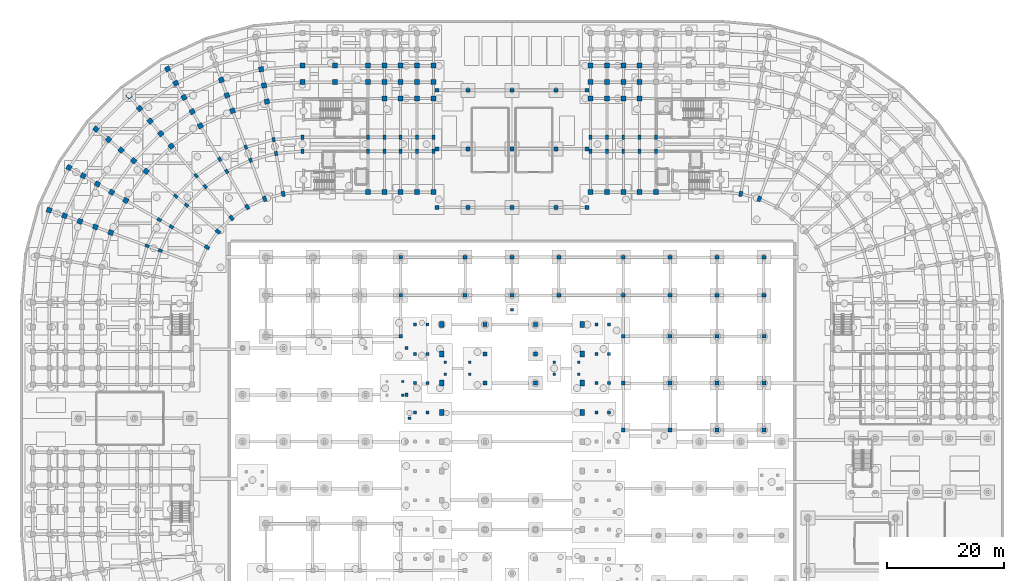
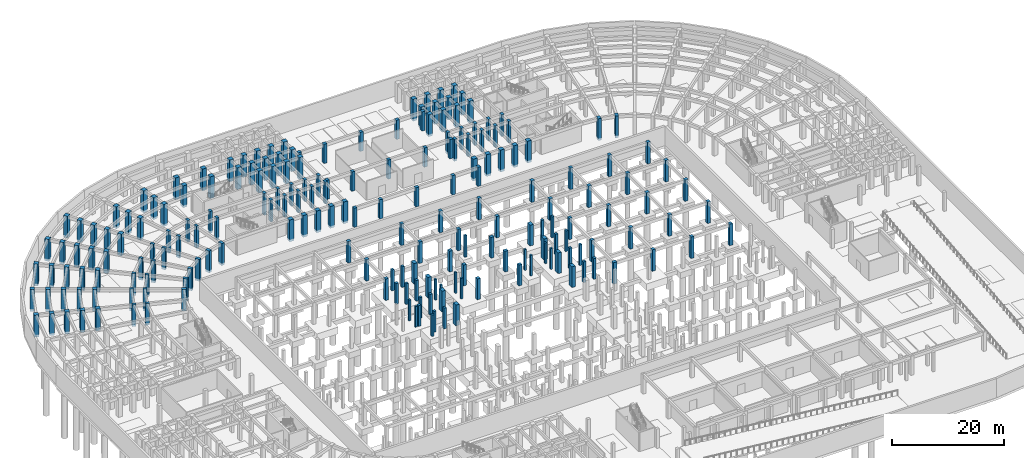
# One storey, part 15 of 53: 203 columns.
"""IFC4 building model written with IfcOpenShell, lengths in metres."""

from ifc_helpers import new_model, si_unit, direction, frame, origin, origin_2d, place, context, subcontext, project, spatial, rectangle, extrude, material, material_profile, profile_set, type_object, element, save


model = new_model("IFC4")

# Units and contexts
model_context = context("Model", 3, precision=1e-05, world=origin(), true_north=direction((0.0, 1.0)))
body_context = subcontext(model_context, "Body", "Model", "MODEL_VIEW")
ifc_project = project(units=[si_unit("LENGTHUNIT", "METRE"), si_unit("AREAUNIT", "SQUARE_METRE"), si_unit("VOLUMEUNIT", "CUBIC_METRE"), si_unit("PLANEANGLEUNIT", "RADIAN"), si_unit("MASSUNIT", "GRAM", prefix="KILO")], contexts=[model_context])

# Site, building, storey
site_placement = place(None, origin())
site = spatial("IfcSite", under=ifc_project, at=site_placement, CompositionType="ELEMENT")
building_placement = place(site_placement, origin())
building = spatial("IfcBuilding", under=site, at=building_placement, Name="Kiranvali Square Residences", CompositionType="ELEMENT")
storey_placement = place(building_placement, frame((0.0, 0.0, -4.5)))
storey = spatial("IfcBuildingStorey", under=building, at=storey_placement, Name="B1", CompositionType="ELEMENT", Elevation=-4.5)

# Columns
ifc_material_1 = material(Name="Concrete M40 (40 MPa)", Category="concrete")
ifc_material_profile_1 = material_profile(ifc_material_1, rectangle(XDim=0.39990234375, YDim=0.39990234375, at=origin_2d()), Name="RC 400x400")
ifc_profile_set_1 = profile_set([ifc_material_profile_1], Name="Concrete M40 (40 MPa)")
column_type_1 = type_object("IfcColumnType", Name="COL-M40-400", PredefinedType="COLUMN", material=ifc_profile_set_1)
for number, where, z_axis, x_axis, name in (
    (1, (72.60009765625, 75.5, -0.5), (0.0, 0.0, 1.0), (1.0, 0.0, 0.0), "ST-CH1 B1 substructure support column 1"),
    (2, (76.800048828125, 75.5, -0.5), (0.0, 0.0, 1.0), (1.0, 0.0, 0.0), "ST-CH1 B1 substructure support column 2"),
    (3, (72.60009765625, 77.550048828125, -0.5), (0.0, 0.0, 1.0), (1.0, 0.0, 0.0), "ST-CH1 B1 substructure support column 3"),
    (4, (76.800048828125, 77.550048828125, -0.5), (0.0, 0.0, 1.0), (1.0, 0.0, 0.0), "ST-CH1 B1 substructure support column 4"),
    (5, (91.199951171875, 75.5, -0.5), (0.0, 0.0, 1.0), (1.0, 0.0, 0.0), "ST-CH2 B1 substructure support column 1"),
    (6, (95.39990234375, 75.5, -0.5), (0.0, 0.0, 1.0), (1.0, 0.0, 0.0), "ST-CH2 B1 substructure support column 2"),
    (7, (91.199951171875, 77.550048828125, -0.5), (0.0, 0.0, 1.0), (1.0, 0.0, 0.0), "ST-CH2 B1 substructure support column 3"),
    (8, (95.39990234375, 77.550048828125, -0.5), (0.0, 0.0, 1.0), (1.0, 0.0, 0.0), "ST-CH2 B1 substructure support column 4"),
    (9, (65.35009765625, 71.949951171875, -0.5), (0.0, 0.0, 1.0), (1.0, 0.0, 0.0), "ST-NR2 B1 substructure support column 2"),
    (10, (65.35009765625, 74.280029296875, -0.5), (0.0, 0.0, 1.0), (1.0, 0.0, 0.0), "ST-NR2 B1 substructure support column 4"),
):
    element("IfcColumn", number, at=place(storey_placement, frame(where, z_axis=z_axis, x_axis=x_axis)), inside=storey, type_object=column_type_1, Name=name, PredefinedType="COLUMN", context=body_context, shape_type="SweptSolid", body=[
        extrude(rectangle(XDim=0.39990234375, YDim=0.39990234375, at=origin_2d()), origin(), (0.0, 0.0, 1.0), 4.550048828125),
    ])
ifc_material_profile_2 = material_profile(ifc_material_1, rectangle(XDim=0.449951171875, YDim=0.449951171875, at=origin_2d()), Name="RC 450x450")
ifc_profile_set_2 = profile_set([ifc_material_profile_2], Name="Concrete M40 (40 MPa)")
column_type_2 = type_object("IfcColumnType", Name="COL-M40-450", PredefinedType="COLUMN", material=ifc_profile_set_2)
for number, where, z_axis, x_axis, name in (
    (11, (66.5, 68.0, -0.5), (0.0, 0.0, 1.0), (1.0, 0.0, 0.0), "Courtyard ramp substructure column 2"),
    (12, (84.0, 86.5, -0.5), (0.0, 0.0, 1.0), (1.0, 0.0, 0.0), "Courtyard ramp substructure column 4"),
):
    element("IfcColumn", number, at=place(storey_placement, frame(where, z_axis=z_axis, x_axis=x_axis)), inside=storey, type_object=column_type_2, Name=name, PredefinedType="COLUMN", context=body_context, shape_type="SweptSolid", body=[
        extrude(rectangle(XDim=0.449951171875, YDim=0.449951171875, at=origin_2d()), origin(), (0.0, 0.0, 1.0), 4.699951171875),
    ])
ifc_material_profile_3 = material_profile(ifc_material_1, rectangle(XDim=0.5, YDim=0.5, at=origin_2d()), Name="RC 500x500")
ifc_profile_set_3 = profile_set([ifc_material_profile_3], Name="Concrete M40 (40 MPa)")
column_type_3 = type_object("IfcColumnType", Name="COL-M40-500", PredefinedType="COLUMN", material=ifc_profile_set_3)
for number, where, z_axis, x_axis, name in (
    (13, (67.449951171875, 69.0, -0.5), (0.0, 0.0, 1.0), (1.0, 0.0, 0.0), "Garden colonnade B1 outer support column ARC-GDN-W-6A"),
    (14, (69.550048828125, 69.0, -0.5), (0.0, 0.0, 1.0), (1.0, 0.0, 0.0), "Garden colonnade B1 inner support column ARC-GDN-W-6B"),
    (15, (67.449951171875, 74.0, -0.5), (0.0, 0.0, 1.0), (1.0, 0.0, 0.0), "Garden colonnade B1 outer support column ARC-GDN-W-7A"),
    (16, (69.550048828125, 74.0, -0.5), (0.0, 0.0, 1.0), (1.0, 0.0, 0.0), "Garden colonnade B1 inner support column ARC-GDN-W-7B"),
    (17, (67.449951171875, 79.0, -0.5), (0.0, 0.0, 1.0), (1.0, 0.0, 0.0), "Garden colonnade B1 outer support column ARC-GDN-W-8A"),
    (18, (69.550048828125, 79.0, -0.5), (0.0, 0.0, 1.0), (1.0, 0.0, 0.0), "Garden colonnade B1 inner support column ARC-GDN-W-8B"),
    (19, (67.449951171875, 84.0, -0.5), (0.0, 0.0, 1.0), (1.0, 0.0, 0.0), "Garden colonnade B1 outer support column ARC-GDN-W-9A"),
    (20, (69.550048828125, 84.0, -0.5), (0.0, 0.0, 1.0), (1.0, 0.0, 0.0), "Garden colonnade B1 inner support column ARC-GDN-W-9B"),
    (21, (98.449951171875, 69.0, -0.5), (0.0, 0.0, 1.0), (1.0, 0.0, 0.0), "Garden colonnade B1 outer support column ARC-GDN-E-6A"),
    (22, (100.550048828125, 69.0, -0.5), (0.0, 0.0, 1.0), (1.0, 0.0, 0.0), "Garden colonnade B1 inner support column ARC-GDN-E-6B"),
    (23, (98.449951171875, 74.0, -0.5), (0.0, 0.0, 1.0), (1.0, 0.0, 0.0), "Garden colonnade B1 outer support column ARC-GDN-E-7A"),
    (24, (100.550048828125, 74.0, -0.5), (0.0, 0.0, 1.0), (1.0, 0.0, 0.0), "Garden colonnade B1 inner support column ARC-GDN-E-7B"),
    (25, (98.449951171875, 79.0, -0.5), (0.0, 0.0, 1.0), (1.0, 0.0, 0.0), "Garden colonnade B1 outer support column ARC-GDN-E-8A"),
    (26, (100.550048828125, 79.0, -0.5), (0.0, 0.0, 1.0), (1.0, 0.0, 0.0), "Garden colonnade B1 inner support column ARC-GDN-E-8B"),
    (27, (98.449951171875, 84.0, -0.5), (0.0, 0.0, 1.0), (1.0, 0.0, 0.0), "Garden colonnade B1 outer support column ARC-GDN-E-9A"),
    (28, (100.550048828125, 84.0, -0.5), (0.0, 0.0, 1.0), (1.0, 0.0, 0.0), "Garden colonnade B1 inner support column ARC-GDN-E-9B"),
):
    element("IfcColumn", number, at=place(storey_placement, frame(where, z_axis=z_axis, x_axis=x_axis)), inside=storey, type_object=column_type_3, Name=name, PredefinedType="COLUMN", context=body_context, shape_type="SweptSolid", body=[
        extrude(rectangle(XDim=0.5, YDim=0.5, at=origin_2d()), origin(), (0.0, 0.0, 1.0), 4.550048828125),
    ])
ifc_material_profile_4 = material_profile(ifc_material_1, rectangle(XDim=0.550048828125, YDim=0.550048828125, at=origin_2d()), Name="RC 550x550")
ifc_profile_set_4 = profile_set([ifc_material_profile_4], Name="Concrete M40 (40 MPa)")
column_type_4 = type_object("IfcColumnType", Name="COL-M40-550", PredefinedType="COLUMN", material=ifc_profile_set_4)
for number, where, z_axis, x_axis, name in (
    (29, (66.0, 72.0, -0.5), (0.0, 0.0, 1.0), (1.0, 0.0, 0.0), "Nursery Pavilion B1 substructure column 4-2"),
    (30, (66.0, 80.0, -0.5), (0.0, 0.0, 1.0), (1.0, 0.0, 0.0), "Nursery Pavilion B1 substructure column 4-3"),
):
    element("IfcColumn", number, at=place(storey_placement, frame(where, z_axis=z_axis, x_axis=x_axis)), inside=storey, type_object=column_type_4, Name=name, PredefinedType="COLUMN", context=body_context, shape_type="SweptSolid", body=[
        extrude(rectangle(XDim=0.550048828125, YDim=0.550048828125, at=origin_2d()), origin(), (0.0, 0.0, 1.0), 4.550048828125),
    ])
ifc_material_2 = material(Name="Concrete M45 (45 MPa)", Category="concrete")
ifc_material_profile_5 = material_profile(ifc_material_2, rectangle(XDim=0.699951171875, YDim=1.0, at=origin_2d()), Name="RC 1000x700")
ifc_profile_set_5 = profile_set([ifc_material_profile_5], Name="Concrete M45 (45 MPa)")
column_type_5 = type_object("IfcColumnType", Name="COL-M45-1000x700", PredefinedType="COLUMN", material=ifc_profile_set_5)
for number, where, z_axis, x_axis, name in (
    (31, (72.0, 69.0, -0.5), (0.0, 0.0, 1.0), (1.0, 0.0, 0.0), "Community Hall substructure pier W6 B1"),
    (32, (96.0, 69.0, -0.5), (0.0, 0.0, 1.0), (1.0, 0.0, 0.0), "Community Hall substructure pier E6 B1"),
    (33, (72.0, 74.0, -0.5), (0.0, 0.0, 1.0), (1.0, 0.0, 0.0), "Community Hall substructure pier W7 B1"),
    (34, (96.0, 74.0, -0.5), (0.0, 0.0, 1.0), (1.0, 0.0, 0.0), "Community Hall substructure pier E7 B1"),
    (35, (72.0, 79.0, -0.5), (0.0, 0.0, 1.0), (1.0, 0.0, 0.0), "Community Hall substructure pier W8 B1"),
    (36, (96.0, 79.0, -0.5), (0.0, 0.0, 1.0), (1.0, 0.0, 0.0), "Community Hall substructure pier E8 B1"),
    (37, (72.0, 84.0, -0.5), (0.0, 0.0, 1.0), (1.0, 0.0, 0.0), "Community Hall substructure pier W9 B1"),
    (38, (96.0, 84.0, -0.5), (0.0, 0.0, 1.0), (1.0, 0.0, 0.0), "Community Hall substructure pier E9 B1"),
):
    element("IfcColumn", number, at=place(storey_placement, frame(where, z_axis=z_axis, x_axis=x_axis)), inside=storey, type_object=column_type_5, Name=name, PredefinedType="COLUMN", context=body_context, shape_type="SweptSolid", body=[
        extrude(rectangle(XDim=0.699951171875, YDim=1.0, at=origin_2d()), origin(), (0.0, 0.0, 1.0), 4.550048828125),
    ])
ifc_material_profile_6 = material_profile(ifc_material_2, rectangle(XDim=0.64990234375, YDim=0.64990234375, at=origin_2d()), Name="RC 650x650")
ifc_profile_set_6 = profile_set([ifc_material_profile_6], Name="Concrete M45 (45 MPa)")
column_type_6 = type_object("IfcColumnType", Name="COL-M45-650", PredefinedType="COLUMN", material=ifc_profile_set_6)
for number, where, z_axis, x_axis, name in (
    (39, (71.199951171875, 104.0, 0.0), (0.0, 0.0, 1.0), (1.0, 0.0, 0.0), "Basement square substructure column APR-01"),
    (40, (76.5, 104.0, 0.0), (0.0, 0.0, 1.0), (1.0, 0.0, 0.0), "Basement square substructure column APR-02"),
    (41, (84.0, 104.0, 0.0), (0.0, 0.0, 1.0), (1.0, 0.0, 0.0), "Basement square substructure column APR-03"),
    (42, (91.5, 104.0, 0.0), (0.0, 0.0, 1.0), (1.0, 0.0, 0.0), "Basement square substructure column APR-04"),
    (43, (96.800048828125, 104.0, 0.0), (0.0, 0.0, 1.0), (1.0, 0.0, 0.0), "Basement square substructure column APR-05"),
    (44, (71.199951171875, 114.0, 0.0), (0.0, 0.0, 1.0), (1.0, 0.0, 0.0), "Basement square substructure column APR-06"),
    (45, (76.5, 114.0, 0.0), (0.0, 0.0, 1.0), (1.0, 0.0, 0.0), "Basement square substructure column APR-07"),
    (46, (84.0, 114.0, 0.0), (0.0, 0.0, 1.0), (1.0, 0.0, 0.0), "Basement square substructure column APR-08"),
    (47, (91.5, 114.0, 0.0), (0.0, 0.0, 1.0), (1.0, 0.0, 0.0), "Basement square substructure column APR-09"),
    (48, (96.800048828125, 114.0, 0.0), (0.0, 0.0, 1.0), (1.0, 0.0, 0.0), "Basement square substructure column APR-10"),
    (49, (71.199951171875, 124.0, 0.0), (0.0, 0.0, 1.0), (1.0, 0.0, 0.0), "Basement square substructure column APR-11"),
    (50, (76.5, 124.0, 0.0), (0.0, 0.0, 1.0), (1.0, 0.0, 0.0), "Basement square substructure column APR-12"),
    (51, (84.0, 124.0, 0.0), (0.0, 0.0, 1.0), (1.0, 0.0, 0.0), "Basement square substructure column APR-13"),
    (52, (91.5, 124.0, 0.0), (0.0, 0.0, 1.0), (1.0, 0.0, 0.0), "Basement square substructure column APR-14"),
    (53, (96.800048828125, 124.0, 0.0), (0.0, 0.0, 1.0), (1.0, 0.0, 0.0), "Basement square substructure column APR-15"),
):
    element("IfcColumn", number, at=place(storey_placement, frame(where, z_axis=z_axis, x_axis=x_axis)), inside=storey, type_object=column_type_6, Name=name, PredefinedType="COLUMN", context=body_context, shape_type="SweptSolid", body=[
        extrude(rectangle(XDim=0.64990234375, YDim=0.64990234375, at=origin_2d()), origin(), (0.0, 0.0, 1.0), 4.199951171875),
    ])
for number, where, z_axis, x_axis, name in (
    (54, (65.0, 82.0, -0.5), (0.0, 0.0, 1.0), (1.0, 0.0, 0.0), "Central garden deck substructure column GDN-18"),
    (55, (65.0, 89.0, -0.5), (0.0, 0.0, 1.0), (1.0, 0.0, 0.0), "Central garden deck substructure column GDN-19"),
    (56, (65.0, 95.5, -0.5), (0.0, 0.0, 1.0), (1.0, 0.0, 0.0), "Central garden deck substructure column GDN-20"),
    (57, (76.0, 89.0, -0.5), (0.0, 0.0, 1.0), (1.0, 0.0, 0.0), "Central garden deck substructure column GDN-22"),
    (58, (76.0, 95.5, -0.5), (0.0, 0.0, 1.0), (1.0, 0.0, 0.0), "Central garden deck substructure column GDN-23"),
    (59, (84.0, 89.0, -0.5), (0.0, 0.0, 1.0), (1.0, 0.0, 0.0), "Central garden deck substructure column GDN-24"),
    (60, (84.0, 95.5, -0.5), (0.0, 0.0, 1.0), (1.0, 0.0, 0.0), "Central garden deck substructure column GDN-25"),
    (61, (92.0, 89.0, -0.5), (0.0, 0.0, 1.0), (1.0, 0.0, 0.0), "Central garden deck substructure column GDN-27"),
    (62, (92.0, 95.5, -0.5), (0.0, 0.0, 1.0), (1.0, 0.0, 0.0), "Central garden deck substructure column GDN-28"),
    (63, (103.0, 66.0, -0.5), (0.0, 0.0, 1.0), (1.0, 0.0, 0.0), "Central garden deck substructure column GDN-29"),
    (64, (103.0, 74.0, -0.5), (0.0, 0.0, 1.0), (1.0, 0.0, 0.0), "Central garden deck substructure column GDN-30"),
    (65, (103.0, 82.0, -0.5), (0.0, 0.0, 1.0), (1.0, 0.0, 0.0), "Central garden deck substructure column GDN-31"),
    (66, (103.0, 89.0, -0.5), (0.0, 0.0, 1.0), (1.0, 0.0, 0.0), "Central garden deck substructure column GDN-32"),
    (67, (103.0, 95.5, -0.5), (0.0, 0.0, 1.0), (1.0, 0.0, 0.0), "Central garden deck substructure column GDN-33"),
    (68, (111.0, 66.0, -0.5), (0.0, 0.0, 1.0), (1.0, 0.0, 0.0), "Central garden deck substructure column GDN-34"),
    (69, (111.0, 74.0, -0.5), (0.0, 0.0, 1.0), (1.0, 0.0, 0.0), "Central garden deck substructure column GDN-35"),
    (70, (111.0, 82.0, -0.5), (0.0, 0.0, 1.0), (1.0, 0.0, 0.0), "Central garden deck substructure column GDN-36"),
    (71, (111.0, 89.0, -0.5), (0.0, 0.0, 1.0), (1.0, 0.0, 0.0), "Central garden deck substructure column GDN-37"),
    (72, (111.0, 95.5, -0.5), (0.0, 0.0, 1.0), (1.0, 0.0, 0.0), "Central garden deck substructure column GDN-38"),
    (73, (119.0, 66.0, -0.5), (0.0, 0.0, 1.0), (1.0, 0.0, 0.0), "Central garden deck substructure column GDN-39"),
    (74, (119.0, 74.0, -0.5), (0.0, 0.0, 1.0), (1.0, 0.0, 0.0), "Central garden deck substructure column GDN-40"),
    (75, (119.0, 82.0, -0.5), (0.0, 0.0, 1.0), (1.0, 0.0, 0.0), "Central garden deck substructure column GDN-41"),
    (76, (119.0, 89.0, -0.5), (0.0, 0.0, 1.0), (1.0, 0.0, 0.0), "Central garden deck substructure column GDN-42"),
    (77, (119.0, 95.5, -0.5), (0.0, 0.0, 1.0), (1.0, 0.0, 0.0), "Central garden deck substructure column GDN-43"),
    (78, (127.0, 66.0, -0.5), (0.0, 0.0, 1.0), (1.0, 0.0, 0.0), "Central garden deck substructure column GDN-44"),
    (79, (127.0, 74.0, -0.5), (0.0, 0.0, 1.0), (1.0, 0.0, 0.0), "Central garden deck substructure column GDN-45"),
    (80, (127.0, 82.0, -0.5), (0.0, 0.0, 1.0), (1.0, 0.0, 0.0), "Central garden deck substructure column GDN-46"),
    (81, (127.0, 89.0, -0.5), (0.0, 0.0, 1.0), (1.0, 0.0, 0.0), "Central garden deck substructure column GDN-47"),
    (82, (127.0, 95.5, -0.5), (0.0, 0.0, 1.0), (1.0, 0.0, 0.0), "Central garden deck substructure column GDN-48"),
):
    element("IfcColumn", number, at=place(storey_placement, frame(where, z_axis=z_axis, x_axis=x_axis)), inside=storey, type_object=column_type_6, Name=name, PredefinedType="COLUMN", context=body_context, shape_type="SweptSolid", body=[
        extrude(rectangle(XDim=0.64990234375, YDim=0.64990234375, at=origin_2d()), origin(), (0.0, 0.0, 1.0), 4.699951171875),
    ])
for number, where, z_axis, x_axis, name in (
    (83, (79.39990234375, 74.0, -0.5), (0.0, 0.0, 1.0), (1.0, 0.0, 0.0), "Community Hall gallery substructure column 79.4-74.0"),
    (84, (88.0, 74.0, -0.5), (0.0, 0.0, 1.0), (1.0, 0.0, 0.0), "Community Hall gallery substructure column 88.0-74.0"),
    (85, (79.39990234375, 79.0, -0.5), (0.0, 0.0, 1.0), (1.0, 0.0, 0.0), "Community Hall gallery substructure column 79.4-79.0"),
    (86, (88.0, 79.0, -0.5), (0.0, 0.0, 1.0), (1.0, 0.0, 0.0), "Community Hall gallery substructure column 88.0-79.0"),
    (87, (79.39990234375, 84.0, -0.5), (0.0, 0.0, 1.0), (1.0, 0.0, 0.0), "Community Hall gallery substructure column 79.4-84.0"),
    (88, (88.0, 84.0, -0.5), (0.0, 0.0, 1.0), (1.0, 0.0, 0.0), "Community Hall gallery substructure column 88.0-84.0"),
):
    element("IfcColumn", number, at=place(storey_placement, frame(where, z_axis=z_axis, x_axis=x_axis)), inside=storey, type_object=column_type_6, Name=name, PredefinedType="COLUMN", context=body_context, shape_type="SweptSolid", body=[
        extrude(rectangle(XDim=0.64990234375, YDim=0.64990234375, at=origin_2d()), origin(), (0.0, 0.0, 1.0), 4.550048828125),
    ])
ifc_material_profile_7 = material_profile(ifc_material_2, rectangle(XDim=0.5, YDim=0.75, at=origin_2d()), Name="RC 750x500")
ifc_profile_set_7 = profile_set([ifc_material_profile_7], Name="Concrete M45 (45 MPa)")
column_type_7 = type_object("IfcColumnType", Name="COL-M45-750x500", PredefinedType="COLUMN", material=ifc_profile_set_7)
for number, where, z_axis, x_axis, name in (
    (89, (48.199951171875, 113.60009765625, -0.5), (0.0, 0.0, 1.0), (1.0, 0.0, 0.0), "Block A B1 radial column A00-R1"),
    (90, (48.199951171875, 116.0, -0.5), (0.0, 0.0, 1.0), (1.0, 0.0, 0.0), "Block A B1 radial column A00-R2"),
    (91, (43.719970703125, 113.2080078125, -0.5), (0.0, 0.0, 1.0), (0.984807753012, 0.173648177667, 0.0), "Block A B1 radial column A01-R1"),
    (92, (43.30322265625, 115.571533203125, -0.5), (0.0, 0.0, 1.0), (0.984807753012, 0.173648177667, 0.0), "Block A B1 radial column A01-R2"),
    (93, (39.3759765625, 112.044189453125, -0.5), (0.0, 0.0, 1.0), (0.939692620786, 0.342020143326, 0.0), "Block A B1 radial column A02-R1"),
    (94, (38.554931640625, 114.29931640625, -0.5), (0.0, 0.0, 1.0), (0.939692620786, 0.342020143326, 0.0), "Block A B1 radial column A02-R2"),
    (95, (35.300048828125, 110.1435546875, -0.5), (0.0, 0.0, 1.0), (0.866025403784, 0.5, 0.0), "Block A B1 radial column A03-R1"),
    (96, (34.10009765625, 112.221923828125, -0.5), (0.0, 0.0, 1.0), (0.866025403784, 0.5, 0.0), "Block A B1 radial column A03-R2"),
    (97, (31.615966796875, 107.56396484375, -0.5), (0.0, 0.0, 1.0), (0.766044443119, 0.642787609687, 0.0), "Block A B1 radial column A04-R1"),
    (98, (30.073486328125, 109.40234375, -0.5), (0.0, 0.0, 1.0), (0.766044443119, 0.642787609687, 0.0), "Block A B1 radial column A04-R2"),
    (99, (28.43603515625, 104.384033203125, -0.5), (0.0, 0.0, 1.0), (0.642787609687, 0.766044443119, 0.0), "Block A B1 radial column A05-R1"),
    (100, (26.59765625, 105.926513671875, -0.5), (0.0, 0.0, 1.0), (0.642787609687, 0.766044443119, 0.0), "Block A B1 radial column A05-R2"),
    (101, (25.8564453125, 100.699951171875, -0.5), (0.0, 0.0, 1.0), (0.5, 0.866025403784, 0.0), "Block A B1 radial column A06-R1"),
    (102, (23.778076171875, 101.89990234375, -0.5), (0.0, 0.0, 1.0), (0.5, 0.866025403784, 0.0), "Block A B1 radial column A06-R2"),
    (103, (23.955810546875, 96.6240234375, -0.5), (0.0, 0.0, 1.0), (0.342020143326, 0.939692620786, 0.0), "Block A B1 radial column A07-R1"),
    (104, (21.70068359375, 97.445068359375, -0.5), (0.0, 0.0, 1.0), (0.342020143326, 0.939692620786, 0.0), "Block A B1 radial column A07-R2"),
    (105, (59.39990234375, 113.60009765625, -0.5), (0.0, 0.0, 1.0), (1.0, 0.0, 0.0), "Block A B1 Arm 1 column U1-R1"),
    (106, (59.39990234375, 116.0, -0.5), (0.0, 0.0, 1.0), (1.0, 0.0, 0.0), "Block A B1 Arm 1 column U1-R2"),
    (107, (62.199951171875, 113.60009765625, -0.5), (0.0, 0.0, 1.0), (1.0, 0.0, 0.0), "Block A B1 Arm 1 column U2-R1"),
    (108, (62.199951171875, 116.0, -0.5), (0.0, 0.0, 1.0), (1.0, 0.0, 0.0), "Block A B1 Arm 1 column U2-R2"),
    (109, (65.0, 113.60009765625, -0.5), (0.0, 0.0, 1.0), (1.0, 0.0, 0.0), "Block A B1 Arm 1 column U3-R1"),
    (110, (65.0, 116.0, -0.5), (0.0, 0.0, 1.0), (1.0, 0.0, 0.0), "Block A B1 Arm 1 column U3-R2"),
    (111, (67.800048828125, 113.60009765625, -0.5), (0.0, 0.0, 1.0), (1.0, 0.0, 0.0), "Block A B1 Arm 1 column U4-R1"),
    (112, (67.800048828125, 116.0, -0.5), (0.0, 0.0, 1.0), (1.0, 0.0, 0.0), "Block A B1 Arm 1 column U4-R2"),
    (113, (70.60009765625, 113.60009765625, -0.5), (0.0, 0.0, 1.0), (1.0, 0.0, 0.0), "Block A B1 Arm 1 column U5-R1"),
    (114, (70.60009765625, 116.0, -0.5), (0.0, 0.0, 1.0), (1.0, 0.0, 0.0), "Block A B1 Arm 1 column U5-R2"),
    (115, (108.60009765625, 113.60009765625, -0.5), (0.0, 0.0, 1.0), (1.0, 0.0, 0.0), "Block B B1 Arm 1 column U1-R1"),
    (116, (108.60009765625, 116.0, -0.5), (0.0, 0.0, 1.0), (1.0, 0.0, 0.0), "Block B B1 Arm 1 column U1-R2"),
    (117, (105.800048828125, 113.60009765625, -0.5), (0.0, 0.0, 1.0), (1.0, 0.0, 0.0), "Block B B1 Arm 1 column U2-R1"),
    (118, (105.800048828125, 116.0, -0.5), (0.0, 0.0, 1.0), (1.0, 0.0, 0.0), "Block B B1 Arm 1 column U2-R2"),
    (119, (103.0, 113.60009765625, -0.5), (0.0, 0.0, 1.0), (1.0, 0.0, 0.0), "Block B B1 Arm 1 column U3-R1"),
    (120, (103.0, 116.0, -0.5), (0.0, 0.0, 1.0), (1.0, 0.0, 0.0), "Block B B1 Arm 1 column U3-R2"),
    (121, (100.199951171875, 113.60009765625, -0.5), (0.0, 0.0, 1.0), (1.0, 0.0, 0.0), "Block B B1 Arm 1 column U4-R1"),
    (122, (100.199951171875, 116.0, -0.5), (0.0, 0.0, 1.0), (1.0, 0.0, 0.0), "Block B B1 Arm 1 column U4-R2"),
    (123, (97.39990234375, 113.60009765625, -0.5), (0.0, 0.0, 1.0), (1.0, 0.0, 0.0), "Block B B1 Arm 1 column U5-R1"),
    (124, (97.39990234375, 116.0, -0.5), (0.0, 0.0, 1.0), (1.0, 0.0, 0.0), "Block B B1 Arm 1 column U5-R2"),
):
    element("IfcColumn", number, at=place(storey_placement, frame(where, z_axis=z_axis, x_axis=x_axis)), inside=storey, type_object=column_type_7, Name=name, PredefinedType="COLUMN", context=body_context, shape_type="SweptSolid", body=[
        extrude(rectangle(XDim=0.5, YDim=0.75, at=origin_2d()), origin(), (0.0, 0.0, 1.0), 4.780029296875),
    ])
ifc_material_3 = material(Name="Concrete M50 (50 MPa)", Category="concrete")
ifc_material_profile_8 = material_profile(ifc_material_3, rectangle(XDim=0.85009765625, YDim=0.85009765625, at=origin_2d()), Name="RC 850x850")
ifc_profile_set_8 = profile_set([ifc_material_profile_8], Name="Concrete M50 (50 MPa)")
column_type_8 = type_object("IfcColumnType", Name="COL-M50-850", PredefinedType="COLUMN", material=ifc_profile_set_8)
for number, where, z_axis, x_axis, name in (
    (125, (48.199951171875, 125.39990234375, -0.5), (0.0, 0.0, 1.0), (1.0, 0.0, 0.0), "Block A B1 radial column A00-R4"),
    (126, (48.199951171875, 128.199951171875, -0.5), (0.0, 0.0, 1.0), (1.0, 0.0, 0.0), "Block A B1 radial column A00-R5"),
    (127, (42.156982421875, 122.0712890625, -0.5), (0.0, 0.0, 1.0), (0.984807753012, 0.173648177667, 0.0), "Block A B1 radial column A01-R3"),
    (128, (41.6708984375, 124.828857421875, -0.5), (0.0, 0.0, 1.0), (0.984807753012, 0.173648177667, 0.0), "Block A B1 radial column A01-R4"),
    (129, (41.1845703125, 127.586181640625, -0.5), (0.0, 0.0, 1.0), (0.984807753012, 0.173648177667, 0.0), "Block A B1 radial column A01-R5"),
    (130, (36.297607421875, 120.501220703125, -0.5), (0.0, 0.0, 1.0), (0.939692620786, 0.342020143326, 0.0), "Block A B1 radial column A02-R3"),
    (131, (35.340087890625, 123.13232421875, -0.5), (0.0, 0.0, 1.0), (0.939692620786, 0.342020143326, 0.0), "Block A B1 radial column A02-R4"),
    (132, (34.38232421875, 125.763671875, -0.5), (0.0, 0.0, 1.0), (0.939692620786, 0.342020143326, 0.0), "Block A B1 radial column A02-R5"),
    (133, (30.800048828125, 117.937744140625, -0.5), (0.0, 0.0, 1.0), (0.866025403784, 0.5, 0.0), "Block A B1 radial column A03-R3"),
    (134, (29.39990234375, 120.362548828125, -0.5), (0.0, 0.0, 1.0), (0.866025403784, 0.5, 0.0), "Block A B1 radial column A03-R4"),
    (135, (28.0, 122.787353515625, -0.5), (0.0, 0.0, 1.0), (0.866025403784, 0.5, 0.0), "Block A B1 radial column A03-R5"),
    (136, (26.60009765625, 125.21240234375, -0.5), (0.0, 0.0, 1.0), (0.866025403784, 0.5, 0.0), "Block A B1 radial column A03-R6"),
    (137, (25.199951171875, 127.63720703125, -0.5), (0.0, 0.0, 1.0), (0.866025403784, 0.5, 0.0), "Block A B1 radial column A03-R7"),
    (138, (25.8310546875, 114.458251953125, -0.5), (0.0, 0.0, 1.0), (0.766044443119, 0.642787609687, 0.0), "Block A B1 radial column A04-R3"),
    (139, (24.03125, 116.603271484375, -0.5), (0.0, 0.0, 1.0), (0.766044443119, 0.642787609687, 0.0), "Block A B1 radial column A04-R4"),
    (140, (22.2314453125, 118.748291015625, -0.5), (0.0, 0.0, 1.0), (0.766044443119, 0.642787609687, 0.0), "Block A B1 radial column A04-R5"),
    (141, (20.431640625, 120.89306640625, -0.5), (0.0, 0.0, 1.0), (0.766044443119, 0.642787609687, 0.0), "Block A B1 radial column A04-R6"),
    (142, (18.6318359375, 123.0380859375, -0.5), (0.0, 0.0, 1.0), (0.766044443119, 0.642787609687, 0.0), "Block A B1 radial column A04-R7"),
    (143, (21.541748046875, 110.1689453125, -0.5), (0.0, 0.0, 1.0), (0.642787609687, 0.766044443119, 0.0), "Block A B1 radial column A05-R3"),
    (144, (19.396728515625, 111.96875, -0.5), (0.0, 0.0, 1.0), (0.642787609687, 0.766044443119, 0.0), "Block A B1 radial column A05-R4"),
    (145, (17.251708984375, 113.7685546875, -0.5), (0.0, 0.0, 1.0), (0.642787609687, 0.766044443119, 0.0), "Block A B1 radial column A05-R5"),
    (146, (15.10693359375, 115.568359375, -0.5), (0.0, 0.0, 1.0), (0.642787609687, 0.766044443119, 0.0), "Block A B1 radial column A05-R6"),
    (147, (12.9619140625, 117.3681640625, -0.5), (0.0, 0.0, 1.0), (0.642787609687, 0.766044443119, 0.0), "Block A B1 radial column A05-R7"),
    (148, (18.062255859375, 105.199951171875, -0.5), (0.0, 0.0, 1.0), (0.5, 0.866025403784, 0.0), "Block A B1 radial column A06-R3"),
    (149, (15.637451171875, 106.60009765625, -0.5), (0.0, 0.0, 1.0), (0.5, 0.866025403784, 0.0), "Block A B1 radial column A06-R4"),
    (150, (13.212646484375, 108.0, -0.5), (0.0, 0.0, 1.0), (0.5, 0.866025403784, 0.0), "Block A B1 radial column A06-R5"),
    (151, (10.78759765625, 109.39990234375, -0.5), (0.0, 0.0, 1.0), (0.5, 0.866025403784, 0.0), "Block A B1 radial column A06-R6"),
    (152, (8.36279296875, 110.800048828125, -0.5), (0.0, 0.0, 1.0), (0.5, 0.866025403784, 0.0), "Block A B1 radial column A06-R7"),
    (153, (15.498779296875, 99.702392578125, -0.5), (0.0, 0.0, 1.0), (0.342020143326, 0.939692620786, 0.0), "Block A B1 radial column A07-R3"),
    (154, (12.86767578125, 100.659912109375, -0.5), (0.0, 0.0, 1.0), (0.342020143326, 0.939692620786, 0.0), "Block A B1 radial column A07-R4"),
    (155, (10.236328125, 101.61767578125, -0.5), (0.0, 0.0, 1.0), (0.342020143326, 0.939692620786, 0.0), "Block A B1 radial column A07-R5"),
    (156, (7.605224609375, 102.5751953125, -0.5), (0.0, 0.0, 1.0), (0.342020143326, 0.939692620786, 0.0), "Block A B1 radial column A07-R6"),
    (157, (4.97412109375, 103.532958984375, -0.5), (0.0, 0.0, 1.0), (0.342020143326, 0.939692620786, 0.0), "Block A B1 radial column A07-R7"),
    (158, (53.800048828125, 125.39990234375, -0.5), (0.0, 0.0, 1.0), (1.0, 0.0, 0.0), "Block A B1 core-front column U0-R4"),
    (159, (53.800048828125, 128.199951171875, -0.5), (0.0, 0.0, 1.0), (1.0, 0.0, 0.0), "Block A B1 core-front column U0-R5"),
    (160, (59.39990234375, 106.60009765625, -0.5), (0.0, 0.0, 1.0), (1.0, 0.0, 0.0), "Block A B1 Arm 1 column U1-R0"),
    (161, (59.39990234375, 125.39990234375, -0.5), (0.0, 0.0, 1.0), (1.0, 0.0, 0.0), "Block A B1 Arm 1 column U1-R4"),
    (162, (59.39990234375, 128.199951171875, -0.5), (0.0, 0.0, 1.0), (1.0, 0.0, 0.0), "Block A B1 Arm 1 column U1-R5"),
    (163, (62.199951171875, 106.60009765625, -0.5), (0.0, 0.0, 1.0), (1.0, 0.0, 0.0), "Block A B1 Arm 1 column U2-R0"),
    (164, (62.199951171875, 122.60009765625, -0.5), (0.0, 0.0, 1.0), (1.0, 0.0, 0.0), "Block A B1 Arm 1 column U2-R3"),
    (165, (62.199951171875, 125.39990234375, -0.5), (0.0, 0.0, 1.0), (1.0, 0.0, 0.0), "Block A B1 Arm 1 column U2-R4"),
    (166, (62.199951171875, 128.199951171875, -0.5), (0.0, 0.0, 1.0), (1.0, 0.0, 0.0), "Block A B1 Arm 1 column U2-R5"),
    (167, (65.0, 106.60009765625, -0.5), (0.0, 0.0, 1.0), (1.0, 0.0, 0.0), "Block A B1 Arm 1 column U3-R0"),
    (168, (65.0, 122.60009765625, -0.5), (0.0, 0.0, 1.0), (1.0, 0.0, 0.0), "Block A B1 Arm 1 column U3-R3"),
    (169, (65.0, 125.39990234375, -0.5), (0.0, 0.0, 1.0), (1.0, 0.0, 0.0), "Block A B1 Arm 1 column U3-R4"),
    (170, (65.0, 128.199951171875, -0.5), (0.0, 0.0, 1.0), (1.0, 0.0, 0.0), "Block A B1 Arm 1 column U3-R5"),
    (171, (67.800048828125, 106.60009765625, -0.5), (0.0, 0.0, 1.0), (1.0, 0.0, 0.0), "Block A B1 Arm 1 column U4-R0"),
    (172, (67.800048828125, 122.60009765625, -0.5), (0.0, 0.0, 1.0), (1.0, 0.0, 0.0), "Block A B1 Arm 1 column U4-R3"),
    (173, (67.800048828125, 125.39990234375, -0.5), (0.0, 0.0, 1.0), (1.0, 0.0, 0.0), "Block A B1 Arm 1 column U4-R4"),
    (174, (67.800048828125, 128.199951171875, -0.5), (0.0, 0.0, 1.0), (1.0, 0.0, 0.0), "Block A B1 Arm 1 column U4-R5"),
    (175, (70.60009765625, 106.60009765625, -0.5), (0.0, 0.0, 1.0), (1.0, 0.0, 0.0), "Block A B1 Arm 1 column U5-R0"),
    (176, (70.60009765625, 122.60009765625, -0.5), (0.0, 0.0, 1.0), (1.0, 0.0, 0.0), "Block A B1 Arm 1 column U5-R3"),
    (177, (70.60009765625, 125.39990234375, -0.5), (0.0, 0.0, 1.0), (1.0, 0.0, 0.0), "Block A B1 Arm 1 column U5-R4"),
    (178, (70.60009765625, 128.199951171875, -0.5), (0.0, 0.0, 1.0), (1.0, 0.0, 0.0), "Block A B1 Arm 1 column U5-R5"),
    (179, (108.60009765625, 106.60009765625, -0.5), (0.0, 0.0, 1.0), (1.0, 0.0, 0.0), "Block B B1 Arm 1 column U1-R0"),
    (180, (105.800048828125, 106.60009765625, -0.5), (0.0, 0.0, 1.0), (1.0, 0.0, 0.0), "Block B B1 Arm 1 column U2-R0"),
    (181, (105.800048828125, 122.60009765625, -0.5), (0.0, 0.0, 1.0), (1.0, 0.0, 0.0), "Block B B1 Arm 1 column U2-R3"),
    (182, (105.800048828125, 125.39990234375, -0.5), (0.0, 0.0, 1.0), (1.0, 0.0, 0.0), "Block B B1 Arm 1 column U2-R4"),
    (183, (105.800048828125, 128.199951171875, -0.5), (0.0, 0.0, 1.0), (1.0, 0.0, 0.0), "Block B B1 Arm 1 column U2-R5"),
    (184, (103.0, 106.60009765625, -0.5), (0.0, 0.0, 1.0), (1.0, 0.0, 0.0), "Block B B1 Arm 1 column U3-R0"),
    (185, (103.0, 122.60009765625, -0.5), (0.0, 0.0, 1.0), (1.0, 0.0, 0.0), "Block B B1 Arm 1 column U3-R3"),
    (186, (103.0, 125.39990234375, -0.5), (0.0, 0.0, 1.0), (1.0, 0.0, 0.0), "Block B B1 Arm 1 column U3-R4"),
    (187, (103.0, 128.199951171875, -0.5), (0.0, 0.0, 1.0), (1.0, 0.0, 0.0), "Block B B1 Arm 1 column U3-R5"),
    (188, (100.199951171875, 106.60009765625, -0.5), (0.0, 0.0, 1.0), (1.0, 0.0, 0.0), "Block B B1 Arm 1 column U4-R0"),
    (189, (100.199951171875, 122.60009765625, -0.5), (0.0, 0.0, 1.0), (1.0, 0.0, 0.0), "Block B B1 Arm 1 column U4-R3"),
    (190, (100.199951171875, 125.39990234375, -0.5), (0.0, 0.0, 1.0), (1.0, 0.0, 0.0), "Block B B1 Arm 1 column U4-R4"),
    (191, (100.199951171875, 128.199951171875, -0.5), (0.0, 0.0, 1.0), (1.0, 0.0, 0.0), "Block B B1 Arm 1 column U4-R5"),
    (192, (97.39990234375, 106.60009765625, -0.5), (0.0, 0.0, 1.0), (1.0, 0.0, 0.0), "Block B B1 Arm 1 column U5-R0"),
    (193, (97.39990234375, 122.60009765625, -0.5), (0.0, 0.0, 1.0), (1.0, 0.0, 0.0), "Block B B1 Arm 1 column U5-R3"),
    (194, (97.39990234375, 125.39990234375, -0.5), (0.0, 0.0, 1.0), (1.0, 0.0, 0.0), "Block B B1 Arm 1 column U5-R4"),
    (195, (97.39990234375, 128.199951171875, -0.5), (0.0, 0.0, 1.0), (1.0, 0.0, 0.0), "Block B B1 Arm 1 column U5-R5"),
):
    element("IfcColumn", number, at=place(storey_placement, frame(where, z_axis=z_axis, x_axis=x_axis)), inside=storey, type_object=column_type_8, Name=name, PredefinedType="COLUMN", context=body_context, shape_type="SweptSolid", body=[
        extrude(rectangle(XDim=0.85009765625, YDim=0.85009765625, at=origin_2d()), origin(), (0.0, 0.0, 1.0), 4.780029296875),
    ])
ifc_material_profile_9 = material_profile(ifc_material_3, rectangle(XDim=0.60009765625, YDim=0.89990234375, at=origin_2d()), Name="RC 900x600")
ifc_profile_set_9 = profile_set([ifc_material_profile_9], Name="Concrete M50 (50 MPa)")
column_type_9 = type_object("IfcColumnType", Name="COL-M50-900x600", PredefinedType="COLUMN", material=ifc_profile_set_9)
for number, where, z_axis, x_axis, name in (
    (196, (44.935302734375, 106.314453125, -0.5), (0.0, 0.0, 1.0), (0.984807753012, 0.173648177667, 0.0), "Block A B1 radial column A01-R0"),
    (197, (41.77001953125, 105.46630859375, -0.5), (0.0, 0.0, 1.0), (0.939692620786, 0.342020143326, 0.0), "Block A B1 radial column A02-R0"),
    (198, (38.800048828125, 104.081298828125, -0.5), (0.0, 0.0, 1.0), (0.866025403784, 0.5, 0.0), "Block A B1 radial column A03-R0"),
    (199, (36.115478515625, 102.20166015625, -0.5), (0.0, 0.0, 1.0), (0.766044443119, 0.642787609687, 0.0), "Block A B1 radial column A04-R0"),
    (200, (33.79833984375, 99.884521484375, -0.5), (0.0, 0.0, 1.0), (0.642787609687, 0.766044443119, 0.0), "Block A B1 radial column A05-R0"),
    (201, (31.918701171875, 97.199951171875, -0.5), (0.0, 0.0, 1.0), (0.5, 0.866025403784, 0.0), "Block A B1 radial column A06-R0"),
    (202, (123.064697265625, 106.314453125, -0.5), (0.0, 0.0, 1.0), (-0.984807753012, 0.173648177667, 0.0), "Block B B1 radial column A01-R0"),
    (203, (126.22998046875, 105.46630859375, -0.5), (0.0, 0.0, 1.0), (-0.939692620786, 0.342020143326, 0.0), "Block B B1 radial column A02-R0"),
):
    element("IfcColumn", number, at=place(storey_placement, frame(where, z_axis=z_axis, x_axis=x_axis)), inside=storey, type_object=column_type_9, Name=name, PredefinedType="COLUMN", context=body_context, shape_type="SweptSolid", body=[
        extrude(rectangle(XDim=0.60009765625, YDim=0.89990234375, at=origin_2d()), origin(), (0.0, 0.0, 1.0), 4.780029296875),
    ])

save(model, "model.ifc")
